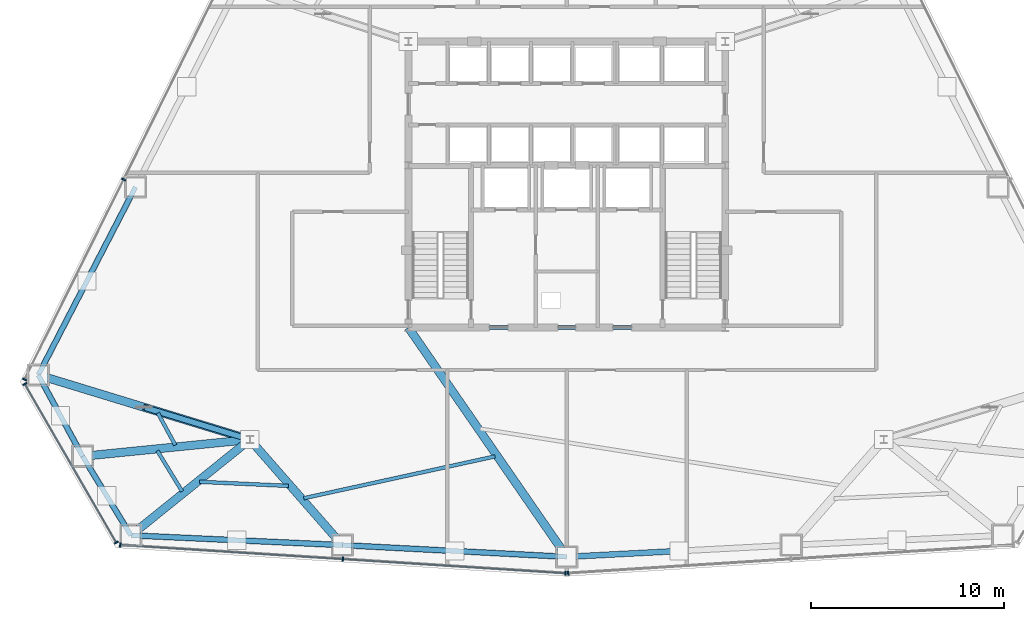
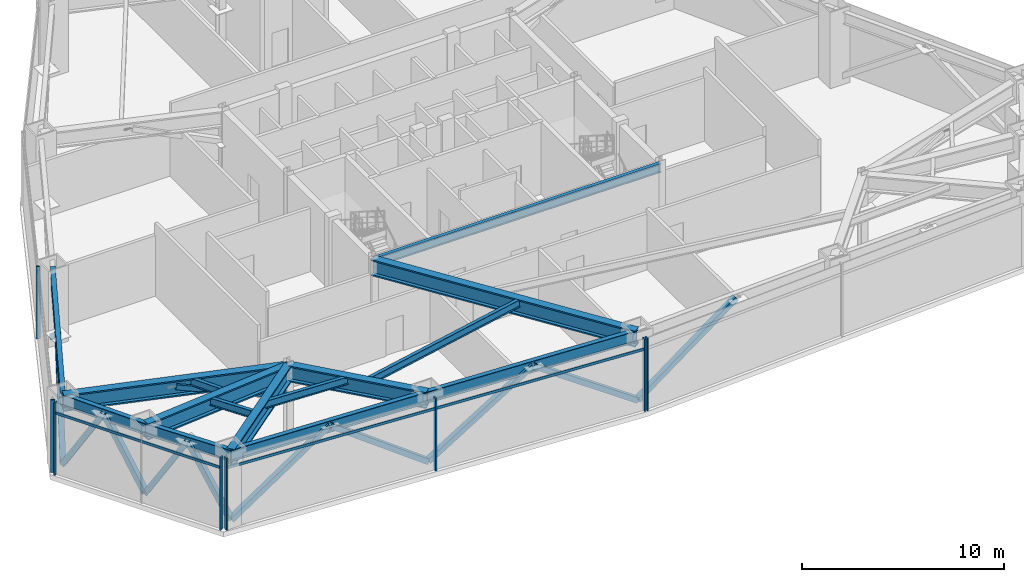
# One storey, part 4 of 12: 22 members, 15 beams, 4 elements without a shape of their own.
"""IFC4 building model written with IfcOpenShell, lengths in metres."""

from ifc_helpers import new_model, si_unit, direction, frame, origin, origin_2d, place, context, subcontext, project, spatial, rectangle, hollow_rectangle, i_section, extrude, source, transform, mapped, material, layer, layer_set, material_profile, profile_set, type_object, type_shapes, element, aggregate, save


model = new_model("IFC4")

# Units and contexts
model_context = context("Model", 3, precision=1e-05, world=origin(), true_north=direction((0.0, 1.0)))
body_context = subcontext(model_context, "Body", "Model", "MODEL_VIEW")
ifc_project = project(units=[si_unit("LENGTHUNIT", "METRE"), si_unit("AREAUNIT", "SQUARE_METRE"), si_unit("VOLUMEUNIT", "CUBIC_METRE"), si_unit("PLANEANGLEUNIT", "RADIAN"), si_unit("MASSUNIT", "GRAM", prefix="KILO")], contexts=[model_context])

# Site, building, storey
site_placement = place(None, origin())
site = spatial("IfcSite", under=ifc_project, at=site_placement, CompositionType="ELEMENT")
building_placement = place(site_placement, origin())
building = spatial("IfcBuilding", under=site, at=building_placement, Name="Varakhsha Concourse Tower", CompositionType="ELEMENT")
storey_placement = place(building_placement, frame((0.0, 0.0, 68.800048828125)))
storey = spatial("IfcBuildingStorey", under=building, at=storey_placement, Name="L19", CompositionType="ELEMENT", Elevation=68.800048828125)

# Beams
ifc_material_1 = material(Name="Structural Steel ASTM A992 Grade 50", Category="steel")
ifc_material_profile_1 = material_profile(ifc_material_1, i_section(OverallWidth=0.19091796875, OverallDepth=0.45703125, WebThickness=0.009033203125, FlangeThickness=0.013916015625, at=origin_2d()), Name="W18X50")
ifc_profile_set_1 = profile_set([ifc_material_profile_1], Name="Structural Steel ASTM A992 Grade 50")
beam_type_1 = type_object("IfcBeamType", Name="BM-JST-W18X50", PredefinedType="JOIST", material=ifc_profile_set_1)
beam_1_placement = place(storey_placement, frame((18.834228515625, 11.9736328125, 4.141357421875), z_axis=(0.478526062289, -0.878073349846, 0.0), x_axis=(0.878073349846, 0.478526062289, 0.0)))
element("IfcBeam", 1, at=beam_1_placement, inside=storey, type_object=beam_type_1, Name="BM-TJST-L19-07", PredefinedType="JOIST", context=body_context, shape_type="SweptSolid", body=[
    extrude(i_section(OverallWidth=0.19091796875, OverallDepth=0.45703125, WebThickness=0.009033203125, FlangeThickness=0.013916015625, at=origin_2d()), origin(), (0.0, 0.0, 1.0), 1.888671875),
])
beam_2_placement = place(storey_placement, frame((18.80908203125, 10.0205078125, 4.141357421875), z_axis=(0.521241559625, -0.853409184694, 0.0), x_axis=(0.853409184694, 0.521241559625, 0.0)))
element("IfcBeam", 2, at=beam_2_placement, inside=storey, type_object=beam_type_1, Name="BM-TJST-L19-08", PredefinedType="JOIST", context=body_context, shape_type="SweptSolid", body=[
    extrude(i_section(OverallWidth=0.19091796875, OverallDepth=0.45703125, WebThickness=0.009033203125, FlangeThickness=0.013916015625, at=origin_2d()), origin(), (0.0, 0.0, 1.0), 2.463623046875),
])
beam_3_placement = place(storey_placement, frame((20.999755859375, 8.413818359375, 4.141357421875), z_axis=(0.998933788082, -0.04616586431, 0.0), x_axis=(0.04616586431, 0.998933788082, 0.0)))
element("IfcBeam", 3, at=beam_3_placement, inside=storey, type_object=beam_type_1, Name="BM-TJST-L19-09", PredefinedType="JOIST", context=body_context, shape_type="SweptSolid", body=[
    extrude(i_section(OverallWidth=0.19091796875, OverallDepth=0.45703125, WebThickness=0.009033203125, FlangeThickness=0.013916015625, at=origin_2d()), origin(), (0.0, 0.0, 1.0), 4.600830078125),
])
beam_4_placement = place(storey_placement, frame((26.38720703125, 7.564208984375, 4.141357421875), z_axis=(0.976899545769, 0.213699034803, 0.0), x_axis=(-0.213699034803, 0.976899545769, 0.0)))
element("IfcBeam", 4, at=beam_4_placement, inside=storey, type_object=beam_type_1, Name="BM-TJST-L19-10", PredefinedType="JOIST", context=body_context, shape_type="SweptSolid", body=[
    extrude(i_section(OverallWidth=0.19091796875, OverallDepth=0.45703125, WebThickness=0.009033203125, FlangeThickness=0.013916015625, at=origin_2d()), origin(), (0.0, 0.0, 1.0), 10.13134765625),
])
ifc_material_profile_2 = material_profile(ifc_material_1, i_section(OverallWidth=0.2109375, OverallDepth=0.5390625, WebThickness=0.011962890625, FlangeThickness=0.01904296875, at=origin_2d()), Name="W21X73")
ifc_profile_set_2 = profile_set([ifc_material_profile_2], Name="Structural Steel ASTM A992 Grade 50")
beam_type_2 = type_object("IfcBeamType", Name="BM-RAD-W21X73", PredefinedType="BEAM", material=ifc_profile_set_2)
beam_5_placement = place(storey_placement, frame((31.800048828125, 16.39990234375, 4.100341796875), z_axis=(1.0, 0.0, 0.0), x_axis=(0.0, 1.0, 0.0)))
element("IfcBeam", 5, at=beam_5_placement, inside=storey, type_object=beam_type_2, Name="BM-TCORE-L19-CS", PredefinedType="BEAM", context=body_context, shape_type="SweptSolid", body=[
    extrude(i_section(OverallWidth=0.2109375, OverallDepth=0.5390625, WebThickness=0.011962890625, FlangeThickness=0.01904296875, at=origin_2d()), origin(), (0.0, 0.0, 1.0), 16.39990234375),
])
ifc_material_profile_3 = material_profile(ifc_material_1, i_section(OverallWidth=0.25390625, OverallDepth=0.701904296875, WebThickness=0.014892578125, FlangeThickness=0.028076171875, at=origin_2d()), Name="W27X129")
ifc_profile_set_3 = profile_set([ifc_material_profile_3], Name="Structural Steel ASTM A992 Grade 50")
beam_type_3 = type_object("IfcBeamType", Name="BM-SPAN-W27X129", PredefinedType="SPANDREL", material=ifc_profile_set_3)
beam_6_placement = place(storey_placement, frame((17.68359375, 23.672607421875, 4.01904296875), z_axis=(-0.459480507345, -0.888187853649, 0.0), x_axis=(0.888187853649, -0.459480507345, 0.0)))
element("IfcBeam", 6, at=beam_6_placement, inside=storey, type_object=beam_type_3, Name="BM-SPAN-L19-06", PredefinedType="SPANDREL", context=body_context, shape_type="SweptSolid", body=[
    extrude(i_section(OverallWidth=0.25390625, OverallDepth=0.701904296875, WebThickness=0.014892578125, FlangeThickness=0.028076171875, at=origin_2d()), origin(), (0.0, 0.0, 1.0), 10.956298828125),
])
for number, where, z_axis, x_axis, name in (
    (7, (12.6494140625, 13.94140625, 4.01904296875), (0.478438059968, -0.878121302995, 0.0), (0.878121302995, 0.478438059968, 0.0), "BM-SPAN-L19-07"),
    (8, (14.9423828125, 9.73291015625, 4.01904296875), (0.521229514311, -0.853416541562, 0.0), (0.853416541562, 0.521229514311, 0.0), "BM-SPAN-L19-08"),
):
    element("IfcBeam", number, at=place(storey_placement, frame(where, z_axis=z_axis, x_axis=x_axis)), inside=storey, type_object=beam_type_3, Name=name, PredefinedType="SPANDREL", context=body_context, shape_type="SweptSolid", body=[
        extrude(i_section(OverallWidth=0.25390625, OverallDepth=0.701904296875, WebThickness=0.014892578125, FlangeThickness=0.028076171875, at=origin_2d()), origin(), (0.0, 0.0, 1.0), 4.792724609375),
    ])
beam_7_placement = place(storey_placement, frame((17.4404296875, 5.642822265625, 4.01904296875), z_axis=(0.998934635381, -0.046147526876, 0.0), x_axis=(0.046147526876, 0.998934635381, 0.0)))
element("IfcBeam", 9, at=beam_7_placement, inside=storey, type_object=beam_type_3, Name="BM-SPAN-L19-09", PredefinedType="SPANDREL", context=body_context, shape_type="SweptSolid", body=[
    extrude(i_section(OverallWidth=0.25390625, OverallDepth=0.701904296875, WebThickness=0.014892578125, FlangeThickness=0.028076171875, at=origin_2d()), origin(), (0.0, 0.0, 1.0), 10.95654296875),
])
beam_8_placement = place(storey_placement, frame((28.38525390625, 5.13720703125, 4.01904296875), z_axis=(0.998635285896, -0.05222610231, 0.0), x_axis=(0.05222610231, 0.998635285896, 0.0)))
element("IfcBeam", 10, at=beam_8_placement, inside=storey, type_object=beam_type_3, Name="BM-SPAN-L19-10", PredefinedType="SPANDREL", context=body_context, shape_type="SweptSolid", body=[
    extrude(i_section(OverallWidth=0.25390625, OverallDepth=0.701904296875, WebThickness=0.014892578125, FlangeThickness=0.028076171875, at=origin_2d()), origin(), (0.0, 0.0, 1.0), 11.630615234375),
])
ifc_material_profile_4 = material_profile(ifc_material_1, i_section(OverallWidth=0.427978515625, OverallDepth=0.97509765625, WebThickness=0.050048828125, FlangeThickness=0.0810546875, at=origin_2d()), Name="W36X395")
ifc_profile_set_4 = profile_set([ifc_material_profile_4], Name="Structural Steel ASTM A992 Grade 50")
beam_type_4 = type_object("IfcBeamType", Name="BM-XFER-W36X395", PredefinedType="USERDEFINED", material=ifc_profile_set_4)
beam_9_placement = place(storey_placement, frame((23.60009765625, 10.60009765625, 3.882568359375), z_axis=(-0.956467040209, 0.291840369026, 0.0), x_axis=(-0.291840369026, -0.956467040209, 0.0)))
element("IfcBeam", 11, at=beam_9_placement, inside=storey, type_object=beam_type_4, Name="L19 Outrigger Top Chord 07", ObjectType="GIRDER", PredefinedType="USERDEFINED", context=body_context, shape_type="SweptSolid", body=[
    extrude(i_section(OverallWidth=0.427978515625, OverallDepth=0.97509765625, WebThickness=0.050048828125, FlangeThickness=0.0810546875, at=origin_2d()), origin(), (0.0, 0.0, 1.0), 11.448974609375),
])
beam_10_placement = place(storey_placement, frame((23.60009765625, 10.60009765625, 3.882568359375), z_axis=(-0.995021064191, -0.099664847443, 0.0), x_axis=(0.099664847443, -0.995021064191, 0.0)))
element("IfcBeam", 12, at=beam_10_placement, inside=storey, type_object=beam_type_4, Name="L19 Outrigger Top Chord 08", ObjectType="GIRDER", PredefinedType="USERDEFINED", context=body_context, shape_type="SweptSolid", body=[
    extrude(i_section(OverallWidth=0.427978515625, OverallDepth=0.97509765625, WebThickness=0.050048828125, FlangeThickness=0.0810546875, at=origin_2d()), origin(), (0.0, 0.0, 1.0), 8.700927734375),
])
beam_11_placement = place(storey_placement, frame((23.60009765625, 10.60009765625, 3.882568359375), z_axis=(-0.779042952089, -0.626970556566, 0.0), x_axis=(0.626970556566, -0.779042952089, 0.0)))
element("IfcBeam", 13, at=beam_11_placement, inside=storey, type_object=beam_type_4, Name="L19 Outrigger Top Chord 09", ObjectType="GIRDER", PredefinedType="USERDEFINED", context=body_context, shape_type="SweptSolid", body=[
    extrude(i_section(OverallWidth=0.427978515625, OverallDepth=0.97509765625, WebThickness=0.050048828125, FlangeThickness=0.0810546875, at=origin_2d()), origin(), (0.0, 0.0, 1.0), 7.90673828125),
])
beam_12_placement = place(storey_placement, frame((23.60009765625, 10.60009765625, 3.882568359375), z_axis=(0.658904355751, -0.75222672777, 0.0), x_axis=(0.75222672777, 0.658904355751, 0.0)))
element("IfcBeam", 14, at=beam_12_placement, inside=storey, type_object=beam_type_4, Name="L19 Outrigger Top Chord 10", ObjectType="GIRDER", PredefinedType="USERDEFINED", context=body_context, shape_type="SweptSolid", body=[
    extrude(i_section(OverallWidth=0.427978515625, OverallDepth=0.97509765625, WebThickness=0.050048828125, FlangeThickness=0.0810546875, at=origin_2d()), origin(), (0.0, 0.0, 1.0), 7.26220703125),
])
beam_13_placement = place(storey_placement, frame((31.800048828125, 16.39990234375, 3.882568359375), z_axis=(0.568374595771, -0.822769906403, 0.0), x_axis=(0.822769906403, 0.568374595771, 0.0)))
element("IfcBeam", 15, at=beam_13_placement, inside=storey, type_object=beam_type_4, Name="L19 Outrigger Top Chord 11", ObjectType="GIRDER", PredefinedType="USERDEFINED", context=body_context, shape_type="SweptSolid", body=[
    extrude(i_section(OverallWidth=0.427978515625, OverallDepth=0.97509765625, WebThickness=0.050048828125, FlangeThickness=0.0810546875, at=origin_2d()), origin(), (0.0, 0.0, 1.0), 14.427001953125),
])

# Members
ifc_material_2 = material(Name="Structural Steel ASTM A500 Grade C", Category="steel")
ifc_material_profile_5 = material_profile(ifc_material_2, hollow_rectangle(XDim=0.300048828125, YDim=0.300048828125, WallThickness=0.013916015625, at=origin_2d()), Name="HSS 300x300x14")
ifc_profile_set_5 = profile_set([ifc_material_profile_5], Name="Structural Steel ASTM A500 Grade C")
member_type_1 = type_object("IfcMemberType", Name="MB-BELT-HSS300", PredefinedType="BRACE", material=ifc_profile_set_5)
shared_shape_1 = source(origin(), body_context, "Body", "SweptSolid", [
    extrude(hollow_rectangle(XDim=0.300048828125, YDim=0.300048828125, WallThickness=0.013916015625, at=origin_2d()), origin(), (0.0, 0.0, 1.0), 4.6201171875),
])
for number, where, z_axis, x_axis, name in (
    (16, (12.6494140625, 13.94140625, 0.119873046875), (0.248145576722, -0.455444362386, 0.854981991345), (0.878121302995, 0.478438059968, 0.0), "L19 Belt Truss Chevron 07A"),
    (17, (14.9423828125, 9.73291015625, 0.119873046875), (-0.248145576722, 0.455444362386, 0.854981991345), (-0.878121302995, -0.478438059968, 0.0), "L19 Belt Truss Chevron 07B"),
    (18, (14.9423828125, 9.73291015625, 0.119873046875), (0.270342476684, -0.442609183876, 0.854992430171), (0.853402700966, 0.521252175041, 0.0), "L19 Belt Truss Chevron 08A"),
):
    element("IfcMember", number, at=place(storey_placement, frame(where, z_axis=z_axis, x_axis=x_axis)), inside=storey, type_object=member_type_1, Name=name, PredefinedType="BRACE", context=body_context, shape_type="MappedRepresentation", body=[
        mapped(shared_shape_1, transform((0.0, 0.0, 0.0), scale=1.0)),
    ])
shared_shape_2 = source(origin(), body_context, "Body", "SweptSolid", [
    extrude(hollow_rectangle(XDim=0.300048828125, YDim=0.300048828125, WallThickness=0.013916015625, at=origin_2d()), origin(), (0.0, 0.0, 1.0), 6.75390625),
])
for number, where, z_axis, x_axis, name in (
    (19, (12.6494140625, 13.94140625, 0.119873046875), (0.372687375251, 0.720432530433, 0.584876986573), (-0.888192558, 0.459471413597, 0.0), "L19 Belt Truss Chevron 06B"),
    (20, (17.4404296875, 5.642822265625, 0.119873046875), (0.810258277518, -0.037449367634, 0.584875258989), (0.046169762116, 0.998933607937, 0.0), "L19 Belt Truss Chevron 09A"),
    (21, (28.38525390625, 5.13720703125, 0.119873046875), (-0.810259373855, 0.037413270218, 0.584876050367), (-0.046125291569, -0.998935662332, 0.0), "L19 Belt Truss Chevron 09B"),
):
    element("IfcMember", number, at=place(storey_placement, frame(where, z_axis=z_axis, x_axis=x_axis)), inside=storey, type_object=member_type_1, Name=name, PredefinedType="BRACE", context=body_context, shape_type="MappedRepresentation", body=[
        mapped(shared_shape_2, transform((0.0, 0.0, 0.0), scale=1.0)),
    ])
shared_shape_3 = source(origin(), body_context, "Body", "SweptSolid", [
    extrude(hollow_rectangle(XDim=0.300048828125, YDim=0.300048828125, WallThickness=0.013916015625, at=origin_2d()), origin(), (0.0, 0.0, 1.0), 7.030029296875),
])
for number, where, z_axis, x_axis, name in (
    (22, (28.38525390625, 5.13720703125, 0.119873046875), (0.826076294051, -0.043201703023, 0.561899963751), (0.05222610231, 0.998635285896, 0.0), "L19 Belt Truss Chevron 10A"),
    (23, (40.0, 4.52978515625, 0.119873046875), (-0.826076294051, 0.043201703023, 0.561899963751), (-0.05222610231, -0.998635285896, 0.0), "L19 Belt Truss Chevron 10B"),
    (24, (40.0, 4.52978515625, 0.119873046875), (0.826076294051, 0.043201703023, 0.561899963751), (-0.05222610231, 0.998635285896, 0.0), "L19 Belt Truss Chevron 11A"),
):
    element("IfcMember", number, at=place(storey_placement, frame(where, z_axis=z_axis, x_axis=x_axis)), inside=storey, type_object=member_type_1, Name=name, PredefinedType="BRACE", context=body_context, shape_type="MappedRepresentation", body=[
        mapped(shared_shape_3, transform((0.0, 0.0, 0.0), scale=1.0)),
    ])
shared_shape_4 = source(origin(), body_context, "Body", "SweptSolid", [
    extrude(hollow_rectangle(XDim=0.300048828125, YDim=0.300048828125, WallThickness=0.013916015625, at=origin_2d()), origin(), (0.0, 0.0, 1.0), 6.753662109375),
])
member_1_placement = place(storey_placement, frame((17.68359375, 23.672607421875, 0.119873046875), z_axis=(-0.372697081023, -0.720415143328, 0.584892218328), x_axis=(0.888183149019, -0.459489601404, 0.0)))
element("IfcMember", 25, at=member_1_placement, inside=storey, type_object=member_type_1, Name="L19 Belt Truss Chevron 06A", PredefinedType="BRACE", context=body_context, shape_type="MappedRepresentation", body=[
    mapped(shared_shape_4, transform((0.0, 0.0, 0.0), scale=1.0)),
])
shared_shape_5 = source(origin(), body_context, "Body", "SweptSolid", [
    extrude(hollow_rectangle(XDim=0.300048828125, YDim=0.300048828125, WallThickness=0.013916015625, at=origin_2d()), origin(), (0.0, 0.0, 1.0), 4.620361328125),
])
type_shapes(member_type_1, [shared_shape_1, shared_shape_2, shared_shape_3, shared_shape_4, shared_shape_5])
member_2_placement = place(storey_placement, frame((17.4404296875, 5.642822265625, 0.119873046875), z_axis=(-0.270336153597, 0.442651672925, 0.854972432605), x_axis=(-0.853430380352, -0.521206855185, 0.0)))
element("IfcMember", 26, at=member_2_placement, inside=storey, type_object=member_type_1, Name="L19 Belt Truss Chevron 08B", PredefinedType="BRACE", context=body_context, shape_type="MappedRepresentation", body=[
    mapped(shared_shape_5, transform((0.0, 0.0, 0.0), scale=1.0)),
])
ifc_material_profile_6 = material_profile(ifc_material_2, hollow_rectangle(XDim=0.300048828125, YDim=0.300048828125, WallThickness=0.013916015625, at=origin_2d()), Name="HSS 300x300x14")
ifc_profile_set_6 = profile_set([ifc_material_profile_6], Name="Structural Steel ASTM A500 Grade C")
member_type_2 = type_object("IfcMemberType", Name="MB-OUTR-HSS300", PredefinedType="STRUT", material=ifc_profile_set_6)
shared_shape_6 = source(origin(), body_context, "Body", "SweptSolid", [
    extrude(hollow_rectangle(XDim=0.300048828125, YDim=0.300048828125, WallThickness=0.013916015625, at=origin_2d()), origin(), (0.0, 0.0, 1.0), 5.91015625),
])
type_shapes(member_type_2, [shared_shape_6])
member_3_placement = place(storey_placement, frame((23.60009765625, 10.60009765625, 2.449951171875), z_axis=(-0.926411768055, 0.282669805538, 0.248714730256), x_axis=(-0.291840369026, -0.956467040209, 0.0)))
element("IfcMember", 27, at=member_3_placement, inside=storey, type_object=member_type_2, Name="L19 Outrigger Truss Strut 04", PredefinedType="STRUT", context=body_context, shape_type="MappedRepresentation", body=[
    mapped(shared_shape_6, transform((0.0, 0.0, 0.0), scale=1.0)),
])

# Curtain wall, member
ifc_material_3 = material(Name="Anodised Bronze Architectural Aluminium AA 6063-T6", Category="aluminium")
ifc_layer = layer(ifc_material_3, 0.260009765625, Name="CW-SYS-06")
ifc_layer_set = layer_set([ifc_layer], Name="Anodised Bronze Architectural Aluminium AA 6063-T6")
curtain_wall_type = type_object("IfcCurtainWallType", Name="CW-SYS-06", PredefinedType="NOTDEFINED", material=ifc_layer_set)
curtain_wall_1_placement = place(storey_placement, origin())
curtain_wall_1 = element("IfcCurtainWall", 28, at=curtain_wall_1_placement, inside=storey, type_object=curtain_wall_type, Name="L19 Chamfer Curtain Wall F4", PredefinedType="NOTDEFINED")
ifc_material_profile_7 = material_profile(ifc_material_3, rectangle(XDim=0.06494140625, YDim=0.159912109375, at=origin_2d()), Name="CWT-160X65")
ifc_profile_set_7 = profile_set([ifc_material_profile_7], Name="Anodised Bronze Architectural Aluminium AA 6063-T6")
member_type_3 = type_object("IfcMemberType", Name="CWT-160X65", PredefinedType="USERDEFINED", material=ifc_profile_set_7)
shared_shape_7 = source(origin(), body_context, "Body", "SweptSolid", [
    extrude(rectangle(XDim=0.06494140625, YDim=0.159912109375, at=origin_2d()), origin(), (0.0, 0.0, 1.0), 9.474365234375),
])
member_4_placement = place(storey_placement, frame((16.6875, 5.2705078125, 3.719970703125), z_axis=(-0.499988638952, 0.866031962989, 0.0), x_axis=(-0.866031962989, -0.499988638952, 0.0)))
member_4 = element("IfcMember", 29, at=member_4_placement, type_object=member_type_3, Name="CW-L19-F4 Transom 01", ObjectType="TRANSOM", PredefinedType="USERDEFINED", context=body_context, shape_type="MappedRepresentation", body=[
    mapped(shared_shape_7, transform((0.0, 0.0, 0.0), scale=1.0)),
])

# Curtain wall, members
curtain_wall_2_placement = place(storey_placement, origin())
curtain_wall_2 = element("IfcCurtainWall", 30, at=curtain_wall_2_placement, inside=storey, type_object=curtain_wall_type, Name="L19 Crystal Curtain Wall F3", PredefinedType="NOTDEFINED")
ifc_material_profile_8 = material_profile(ifc_material_3, rectangle(XDim=0.074951171875, YDim=0.219970703125, at=origin_2d()), Name="CWM-220X75")
ifc_profile_set_8 = profile_set([ifc_material_profile_8], Name="Anodised Bronze Architectural Aluminium AA 6063-T6")
member_type_4 = type_object("IfcMemberType", Name="CWM-220X75", PredefinedType="MULLION", material=ifc_profile_set_8)
shared_shape_8 = source(origin(), body_context, "Body", "SweptSolid", [
    extrude(rectangle(XDim=0.074951171875, YDim=0.219970703125, at=origin_2d()), origin(), (0.0, 0.0, 1.0), 4.369873046875),
])
type_shapes(member_type_4, [shared_shape_8])
member_5_placement = place(storey_placement, frame((11.94287109375, 13.712158203125, 0.0), z_axis=(0.0, 0.0, 1.0), x_axis=(0.444108266182, 0.895973129011, 0.0)))
member_5 = element("IfcMember", 31, at=member_5_placement, type_object=member_type_4, Name="CW-L19-F3 Mullion 00", PredefinedType="MULLION", context=body_context, shape_type="MappedRepresentation", body=[
    mapped(shared_shape_8, transform((0.0, 0.0, 0.0), scale=1.0)),
])
member_6_placement = place(storey_placement, frame((17.069580078125, 24.055419921875, 0.0), z_axis=(0.0, 0.0, 1.0), x_axis=(0.444108266182, 0.895973129011, 0.0)))
member_6 = element("IfcMember", 32, at=member_6_placement, type_object=member_type_4, Name="CW-L19-F3 Mullion 01", PredefinedType="MULLION", context=body_context, shape_type="MappedRepresentation", body=[
    mapped(shared_shape_8, transform((0.0, 0.0, 0.0), scale=1.0)),
])
aggregate(curtain_wall_2, [member_5, member_6])

# Member
member_7_placement = place(storey_placement, frame((16.6875, 5.2705078125, 0.0), z_axis=(0.0, 0.0, 1.0), x_axis=(-0.499995465495, 0.866028021766, 0.0)))
member_7 = element("IfcMember", 33, at=member_7_placement, type_object=member_type_4, Name="CW-L19-F4 Mullion 00", PredefinedType="MULLION", context=body_context, shape_type="MappedRepresentation", body=[
    mapped(shared_shape_8, transform((0.0, 0.0, 0.0), scale=1.0)),
])

member_8_placement = place(storey_placement, frame((11.950439453125, 13.4755859375, 0.0), z_axis=(0.0, 0.0, 1.0), x_axis=(-0.499995465495, 0.866028021766, 0.0)))
member_8 = element("IfcMember", 34, at=member_8_placement, type_object=member_type_4, Name="CW-L19-F4 Mullion 01", PredefinedType="MULLION", context=body_context, shape_type="MappedRepresentation", body=[
    mapped(shared_shape_8, transform((0.0, 0.0, 0.0), scale=1.0)),
])

aggregate(curtain_wall_1, [member_7, member_8, member_4])

# Curtain wall, members
curtain_wall_3_placement = place(storey_placement, origin())
curtain_wall_3 = element("IfcCurtainWall", 35, at=curtain_wall_3_placement, inside=storey, type_object=curtain_wall_type, Name="L19 Crystal Curtain Wall F5", PredefinedType="NOTDEFINED")
member_9_placement = place(storey_placement, frame((39.930419921875, 3.6826171875, 0.0), z_axis=(0.0, 0.0, 1.0), x_axis=(-0.997989845145, 0.06337404032, 0.0)))
member_9 = element("IfcMember", 36, at=member_9_placement, type_object=member_type_4, Name="CW-L19-F5 Mullion 00", PredefinedType="MULLION", context=body_context, shape_type="MappedRepresentation", body=[
    mapped(shared_shape_8, transform((0.0, 0.0, 0.0), scale=1.0)),
])
member_10_placement = place(storey_placement, frame((28.409423828125, 4.4140625, 0.0), z_axis=(0.0, 0.0, 1.0), x_axis=(-0.997989845145, 0.06337404032, 0.0)))
member_10 = element("IfcMember", 37, at=member_10_placement, type_object=member_type_4, Name="CW-L19-F5 Mullion 01", PredefinedType="MULLION", context=body_context, shape_type="MappedRepresentation", body=[
    mapped(shared_shape_8, transform((0.0, 0.0, 0.0), scale=1.0)),
])
member_11_placement = place(storey_placement, frame((16.888671875, 5.145751953125, 0.0), z_axis=(0.0, 0.0, 1.0), x_axis=(-0.997989845145, 0.06337404032, 0.0)))
member_11 = element("IfcMember", 38, at=member_11_placement, type_object=member_type_4, Name="CW-L19-F5 Mullion 02", PredefinedType="MULLION", context=body_context, shape_type="MappedRepresentation", body=[
    mapped(shared_shape_8, transform((0.0, 0.0, 0.0), scale=1.0)),
])

# Curtain wall, member
curtain_wall_4_placement = place(storey_placement, origin())
curtain_wall_4 = element("IfcCurtainWall", 39, at=curtain_wall_4_placement, inside=storey, type_object=curtain_wall_type, Name="L19 Crystal Curtain Wall F6", PredefinedType="NOTDEFINED")
member_12_placement = place(storey_placement, frame((40.069580078125, 3.6826171875, 0.0), z_axis=(0.0, 0.0, 1.0), x_axis=(-0.997989845145, -0.06337404032, 0.0)))
member_12 = element("IfcMember", 40, at=member_12_placement, type_object=member_type_4, Name="CW-L19-F6 Mullion 02", PredefinedType="MULLION", context=body_context, shape_type="MappedRepresentation", body=[
    mapped(shared_shape_8, transform((0.0, 0.0, 0.0), scale=1.0)),
])
aggregate(curtain_wall_4, [member_12])

# Member
shared_shape_9 = source(origin(), body_context, "Body", "SweptSolid", [
    extrude(rectangle(XDim=0.06494140625, YDim=0.159912109375, at=origin_2d()), origin(), (0.0, 0.0, 1.0), 23.088134765625),
])
type_shapes(member_type_3, [shared_shape_7, shared_shape_9])
member_13_placement = place(storey_placement, frame((39.930419921875, 3.6826171875, 3.719970703125), z_axis=(-0.997989996197, 0.063371661569, 0.0), x_axis=(-0.063371661569, -0.997989996197, 0.0)))
member_13 = element("IfcMember", 41, at=member_13_placement, type_object=member_type_3, Name="CW-L19-F5 Transom 01", ObjectType="TRANSOM", PredefinedType="USERDEFINED", context=body_context, shape_type="MappedRepresentation", body=[
    mapped(shared_shape_9, transform((0.0, 0.0, 0.0), scale=1.0)),
])

aggregate(curtain_wall_3, [member_9, member_10, member_11, member_13])

save(model, "model.ifc")
